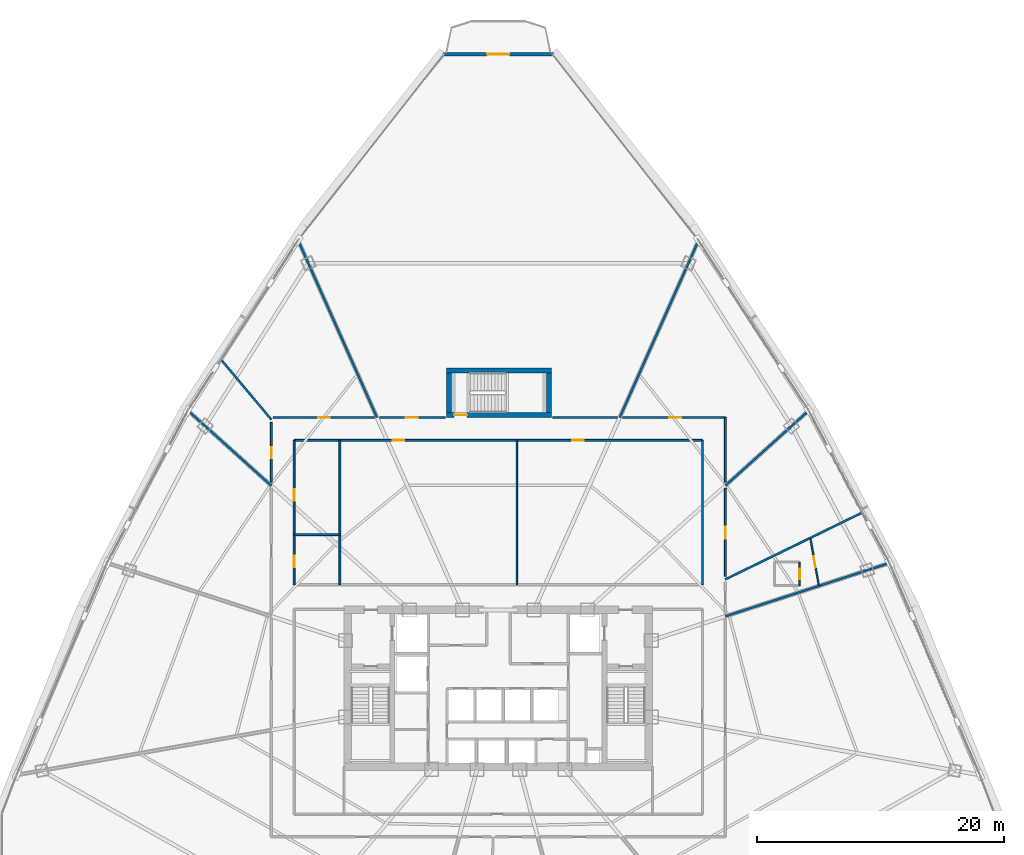
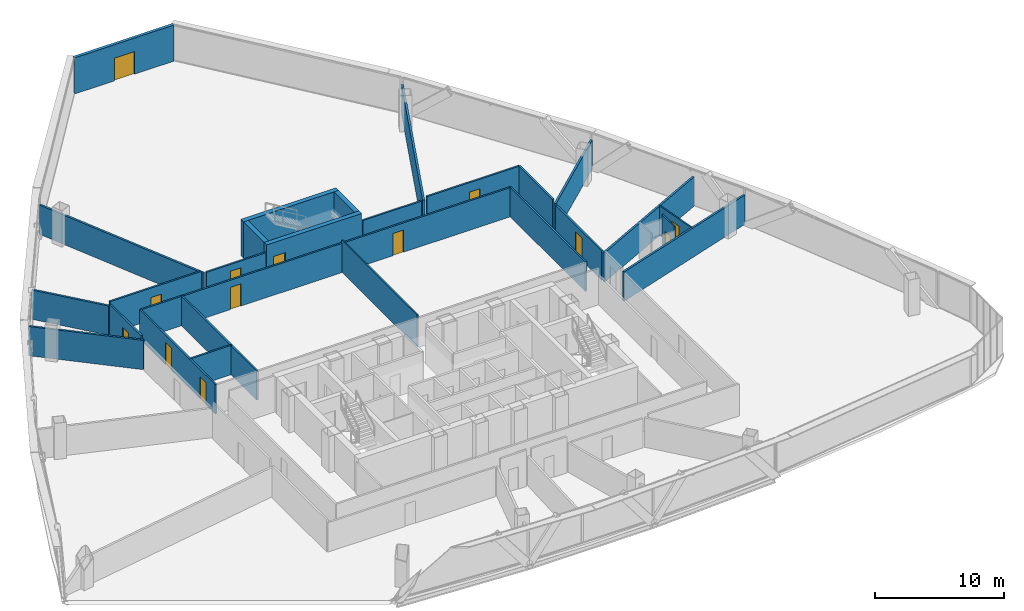
# One storey, part 37 of 42: 27 walls, 13 doors, 13 openings.
"""IFC4 building model written with IfcOpenShell, lengths in metres."""

from ifc_helpers import new_model, si_unit, direction, frame, frame_2d, origin, origin_with_axes, place, context, subcontext, project, spatial, rectangle, extrude, source, transform, mapped, material, layer, layer_set, type_object, element, fill, save


model = new_model("IFC4")

# Units and contexts
model_context = context("Model", 3, precision=1e-05, world=origin(), true_north=direction((0.0, 1.0)))
body_context = subcontext(model_context, "Body", "Model", "MODEL_VIEW")
ifc_project = project(units=[si_unit("LENGTHUNIT", "METRE"), si_unit("AREAUNIT", "SQUARE_METRE"), si_unit("VOLUMEUNIT", "CUBIC_METRE"), si_unit("PLANEANGLEUNIT", "RADIAN"), si_unit("MASSUNIT", "GRAM", prefix="KILO"), si_unit("THERMODYNAMICTEMPERATUREUNIT", "KELVIN"), si_unit("POWERUNIT", "WATT")], contexts=[model_context])

# Site, building, storey
site_placement = place(None, origin())
site = spatial("IfcSite", under=ifc_project, at=site_placement, CompositionType="ELEMENT")
building_placement = place(site_placement, origin())
building = spatial("IfcBuilding", under=site, at=building_placement, Name="Yunzhuo Pagoda Commons", CompositionType="ELEMENT")
storey_placement = place(building_placement, frame((0.0, 0.0, 129.830078125)))
storey = spatial("IfcBuildingStorey", under=building, at=storey_placement, Name="L32", CompositionType="ELEMENT", Elevation=129.830078125)

# Wall, opening, door
ifc_material_1 = material(Name="Precast concrete C40", Category="concrete")
ifc_layer_1 = layer(ifc_material_1, 0.260009765625)
ifc_layer_set_1 = layer_set([ifc_layer_1], Name="Precast concrete C40")
wall_type_1 = type_object("IfcWallType", Name="W-BAL1 Corner Balcony Threshold Wall 260", PredefinedType="STANDARD", material=ifc_layer_set_1)
wall_1_placement = place(storey_placement, frame((52.451416015625, 85.243408203125, 0.0), z_axis=(0.0, 0.0, 1.0), x_axis=(-1.0, 0.0, 0.0)))
wall_1 = element("IfcWall", 1, at=wall_1_placement, inside=storey, type_object=wall_type_1, Name="L32 corner balcony wall V3", PredefinedType="STANDARD", context=body_context, shape_type="SweptSolid", body=[
    extrude(rectangle(XDim=8.90283203125, YDim=0.260009765625, at=frame_2d((4.451416015625, 0.0))), origin(), (0.0, 0.0, 1.0), 3.419921875),
])
opening_1_placement = place(wall_1_placement, frame((3.55126953125, 0.0, 0.0)))
opening_1 = element("IfcOpeningElement", 2, at=opening_1_placement, cuts=wall_1, Name="Opening D-BAL1", PredefinedType="OPENING", context=body_context, shape_type="SweptSolid", body=[
    extrude(rectangle(XDim=1.800048828125, YDim=2.14990234375, at=frame_2d((0.89990234375, 1.074951171875))), frame((0.0, 0.14013671875, 0.0), z_axis=(0.0, -1.0, 0.0), x_axis=(1.0, 0.0, 0.0)), (0.0, 0.0, 1.0), 0.280029296875),
])
ifc_material_2 = material(Name="Anodized aluminium frame and tempered glazed leaf", Category="aluminium")
door_type_1 = type_object("IfcDoorType", Name="D-BAL1 Corner Balcony Sliding Glazed Door 1800x2150", OperationType="DOUBLE_DOOR_SLIDING", PredefinedType="DOOR", material=ifc_material_2)
shared_shape_1 = source(origin(), body_context, "Body", "SweptSolid", [
    extrude(rectangle(XDim=1.800048828125, YDim=2.14990234375, at=frame_2d((0.89990234375, 1.074951171875))), frame((0.0, 0.02490234375, 0.0), z_axis=(0.0, -1.0, 0.0), x_axis=(1.0, 0.0, 0.0)), (0.0, 0.0, 1.0), 0.050048828125),
])
door_1_placement = place(opening_1_placement, origin_with_axes())
door_1 = element("IfcDoor", 3, at=door_1_placement, inside=storey, type_object=door_type_1, Name="L32 corner balcony sliding door V3", OperationType="DOUBLE_DOOR_SLIDING", OverallHeight=2.14990234375, OverallWidth=1.800048828125, PredefinedType="DOOR", context=body_context, shape_type="MappedRepresentation", body=[
    mapped(shared_shape_1, transform((0.0, 0.0, 0.0), scale=1.0)),
])
fill(opening_1, door_1)

# Wall, openings, doors
ifc_material_3 = material(Name="Gypsum plasterboard on acoustic stud")
ifc_layer_2 = layer(ifc_material_3, 0.155029296875)
ifc_layer_set_2 = layer_set([ifc_layer_2], Name="Gypsum plasterboard on acoustic stud")
wall_type_2 = type_object("IfcWallType", Name="W-COR2 Mid-Zone Rated Corridor Wall 155", PredefinedType="PARTITIONING", material=ifc_layer_set_2)
wall_2_placement = place(storey_placement, frame((31.449951171875, 53.949951171875, 0.0), z_axis=(0.0, 0.0, 1.0), x_axis=(1.0, 0.0, 0.0)))
wall_2 = element("IfcWall", 4, at=wall_2_placement, inside=storey, type_object=wall_type_2, Name="L32 interior wall IW-L32-MCNN", PredefinedType="PARTITIONING", context=body_context, shape_type="SweptSolid", body=[
    extrude(rectangle(XDim=33.10009765625, YDim=0.155029296875, at=frame_2d((16.550048828125, 0.0))), origin(), (0.0, 0.0, 1.0), 2.77001953125),
])
opening_2_placement = place(wall_2_placement, frame((8.0, 0.0, 0.0)))
opening_2 = element("IfcOpeningElement", 5, at=opening_2_placement, cuts=wall_2, Name="Opening D-04", PredefinedType="OPENING", context=body_context, shape_type="SweptSolid", body=[
    extrude(rectangle(XDim=0.919921875, YDim=2.10009765625, at=frame_2d((0.4599609375, 1.050048828125))), frame((0.0, 0.08740234375, 0.0), z_axis=(0.0, -1.0, 0.0), x_axis=(1.0, 0.0, 0.0)), (0.0, 0.0, 1.0), 0.175048828125),
])
opening_3_placement = place(wall_2_placement, frame((22.550048828125, 0.0, 0.0)))
opening_3 = element("IfcOpeningElement", 6, at=opening_3_placement, cuts=wall_2, Name="Opening D-04", PredefinedType="OPENING", context=body_context, shape_type="SweptSolid", body=[
    extrude(rectangle(XDim=0.919921875, YDim=2.10009765625, at=frame_2d((0.4599609375, 1.050048828125))), frame((0.0, 0.08740234375, 0.0), z_axis=(0.0, -1.0, 0.0), x_axis=(1.0, 0.0, 0.0)), (0.0, 0.0, 1.0), 0.175048828125),
])
ifc_material_4 = material(Name="Powder-coated aluminium and timber acoustic leaf", Category="wood")
door_type_2 = type_object("IfcDoorType", Name="D-04 Bedroom & Study Interior Door 920x2100", OperationType="NOTDEFINED", PredefinedType="DOOR", material=ifc_material_4)
shared_shape_2 = source(origin(), body_context, "Body", "SweptSolid", [
    extrude(rectangle(XDim=0.919921875, YDim=2.10009765625, at=frame_2d((0.4599609375, 1.050048828125))), frame((0.0, 0.02490234375, 0.0), z_axis=(0.0, -1.0, 0.0), x_axis=(1.0, 0.0, 0.0)), (0.0, 0.0, 1.0), 0.050048828125),
])
door_2_placement = place(opening_2_placement, origin_with_axes())
door_2 = element("IfcDoor", 7, at=door_2_placement, inside=storey, type_object=door_type_2, Name="L32 reading commons door", OperationType="SINGLE_SWING_LEFT", OverallHeight=2.10009765625, OverallWidth=0.919921875, PredefinedType="DOOR", context=body_context, shape_type="MappedRepresentation", body=[
    mapped(shared_shape_2, transform((0.0, 0.0, 0.0), scale=1.0)),
])
fill(opening_2, door_2)
door_3_placement = place(opening_3_placement, origin_with_axes())
door_3 = element("IfcDoor", 8, at=door_3_placement, inside=storey, type_object=door_type_2, Name="L32 seminar commons door", OperationType="SINGLE_SWING_RIGHT", OverallHeight=2.10009765625, OverallWidth=0.919921875, PredefinedType="DOOR", context=body_context, shape_type="MappedRepresentation", body=[
    mapped(shared_shape_2, transform((0.0, 0.0, 0.0), scale=1.0)),
])
fill(opening_3, door_3)

wall_3_placement = place(storey_placement, frame((31.449951171875, 42.25, 0.0), z_axis=(0.0, 0.0, 1.0), x_axis=(0.0, 1.0, 0.0)))
wall_3 = element("IfcWall", 9, at=wall_3_placement, inside=storey, type_object=wall_type_2, Name="L32 interior wall IW-L32-MCNW", PredefinedType="PARTITIONING", context=body_context, shape_type="SweptSolid", body=[
    extrude(rectangle(XDim=11.699951171875, YDim=0.155029296875, at=frame_2d((5.85009765625, 0.0))), origin(), (0.0, 0.0, 1.0), 2.77001953125),
])
opening_4_placement = place(wall_3_placement, frame((1.39990234375, 0.0, 0.0)))
opening_4 = element("IfcOpeningElement", 10, at=opening_4_placement, cuts=wall_3, Name="Opening D-11", PredefinedType="OPENING", context=body_context, shape_type="SweptSolid", body=[
    extrude(rectangle(XDim=0.93994140625, YDim=2.10009765625, at=frame_2d((0.469970703125, 1.050048828125))), frame((0.0, 0.08740234375, 0.0), z_axis=(0.0, -1.0, 0.0), x_axis=(1.0, 0.0, 0.0)), (0.0, 0.0, 1.0), 0.175048828125),
])
opening_5_placement = place(wall_3_placement, frame((6.800048828125, 0.0, 0.0)))
opening_5 = element("IfcOpeningElement", 11, at=opening_5_placement, cuts=wall_3, Name="Opening D-04", PredefinedType="OPENING", context=body_context, shape_type="SweptSolid", body=[
    extrude(rectangle(XDim=0.919921875, YDim=2.10009765625, at=frame_2d((0.4599609375, 1.050048828125))), frame((0.0, 0.08740234375, 0.0), z_axis=(0.0, -1.0, 0.0), x_axis=(1.0, 0.0, 0.0)), (0.0, 0.0, 1.0), 0.175048828125),
])
ifc_material_5 = material(Name="Galvanized fire-resisting metal leaf")
door_type_3 = type_object("IfcDoorType", Name="D-11 Accessible Washroom Fire Door 940x2100", OperationType="NOTDEFINED", PredefinedType="DOOR", material=ifc_material_5)
shared_shape_3 = source(origin(), body_context, "Body", "SweptSolid", [
    extrude(rectangle(XDim=0.93994140625, YDim=2.10009765625, at=frame_2d((0.469970703125, 1.050048828125))), frame((0.0, 0.02490234375, 0.0), z_axis=(0.0, -1.0, 0.0), x_axis=(1.0, 0.0, 0.0)), (0.0, 0.0, 1.0), 0.050048828125),
])
door_4_placement = place(opening_4_placement, origin_with_axes())
door_4 = element("IfcDoor", 12, at=door_4_placement, inside=storey, type_object=door_type_3, Name="L32 accessible WC door", OperationType="SINGLE_SWING_LEFT", OverallHeight=2.10009765625, OverallWidth=0.93994140625, PredefinedType="DOOR", context=body_context, shape_type="MappedRepresentation", body=[
    mapped(shared_shape_3, transform((0.0, 0.0, 0.0), scale=1.0)),
])
fill(opening_4, door_4)
door_5_placement = place(opening_5_placement, origin_with_axes())
door_5 = element("IfcDoor", 13, at=door_5_placement, inside=storey, type_object=door_type_2, Name="L32 laundry door", OperationType="SINGLE_SWING_RIGHT", OverallHeight=2.10009765625, OverallWidth=0.919921875, PredefinedType="DOOR", context=body_context, shape_type="MappedRepresentation", body=[
    mapped(shared_shape_2, transform((0.0, 0.0, 0.0), scale=1.0)),
])
fill(opening_5, door_5)

# Walls
for number, where, z_axis, x_axis, name in (
    (14, (64.550048828125, 42.25, 0.0), (0.0, 0.0, 1.0), (0.0, 1.0, 0.0), "L32 interior wall IW-L32-MCNE"),
    (15, (35.14990234375, 42.25, 0.0), (0.0, 0.0, 1.0), (0.0, 1.0, 0.0), "L32 interior wall IW-L32-MCWCE"),
):
    element("IfcWall", number, at=place(storey_placement, frame(where, z_axis=z_axis, x_axis=x_axis)), inside=storey, type_object=wall_type_2, Name=name, PredefinedType="PARTITIONING", context=body_context, shape_type="SweptSolid", body=[
        extrude(rectangle(XDim=11.699951171875, YDim=0.155029296875, at=frame_2d((5.85009765625, 0.0))), origin(), (0.0, 0.0, 1.0), 2.77001953125),
    ])
wall_4_placement = place(storey_placement, frame((31.449951171875, 46.300048828125, 0.0), z_axis=(0.0, 0.0, 1.0), x_axis=(1.0, 0.0, 0.0)))
element("IfcWall", 16, at=wall_4_placement, inside=storey, type_object=wall_type_2, Name="L32 interior wall IW-L32-MCWCN", PredefinedType="PARTITIONING", context=body_context, shape_type="SweptSolid", body=[
    extrude(rectangle(XDim=3.699951171875, YDim=0.155029296875, at=frame_2d((1.85009765625, 0.0))), origin(), (0.0, 0.0, 1.0), 2.77001953125),
])

# Wall, opening, door
wall_5_placement = place(storey_placement, frame((29.60009765625, 50.5634765625, 0.0), z_axis=(0.0, 0.0, 1.0), x_axis=(0.0, 1.0, 0.0)))
wall_5 = element("IfcWall", 17, at=wall_5_placement, inside=storey, type_object=wall_type_2, Name="L32 interior wall IW-L32-CWL04", PredefinedType="PARTITIONING", context=body_context, shape_type="SweptSolid", body=[
    extrude(rectangle(XDim=4.844970703125, YDim=0.155029296875, at=frame_2d((2.42236328125, 0.0))), origin(), (0.0, 0.0, 1.0), 3.02001953125),
])
opening_6_placement = place(wall_5_placement, frame((1.924560546875, 0.0, 0.0)))
opening_6 = element("IfcOpeningElement", 18, at=opening_6_placement, cuts=wall_5, Name="Opening D-12", PredefinedType="OPENING", context=body_context, shape_type="SweptSolid", body=[
    extrude(rectangle(XDim=0.89990234375, YDim=2.080078125, at=frame_2d((0.449951171875, 1.0400390625))), frame((0.0, 0.08740234375, 0.0), z_axis=(0.0, -1.0, 0.0), x_axis=(1.0, 0.0, 0.0)), (0.0, 0.0, 1.0), 0.175048828125),
])
door_type_4 = type_object("IfcDoorType", Name="D-12 Quiet Study Interior Door 900x2080", OperationType="NOTDEFINED", PredefinedType="DOOR", material=ifc_material_4)
shared_shape_4 = source(origin(), body_context, "Body", "SweptSolid", [
    extrude(rectangle(XDim=0.89990234375, YDim=2.080078125, at=frame_2d((0.449951171875, 1.0400390625))), frame((0.0, 0.02490234375, 0.0), z_axis=(0.0, -1.0, 0.0), x_axis=(1.0, 0.0, 0.0)), (0.0, 0.0, 1.0), 0.050048828125),
])
door_6_placement = place(opening_6_placement, origin_with_axes())
door_6 = element("IfcDoor", 19, at=door_6_placement, inside=storey, type_object=door_type_4, Name="L32 study lounge 06 door", OperationType="SINGLE_SWING_RIGHT", OverallHeight=2.080078125, OverallWidth=0.89990234375, PredefinedType="DOOR", context=body_context, shape_type="MappedRepresentation", body=[
    mapped(shared_shape_4, transform((0.0, 0.0, 0.0), scale=1.0)),
])
fill(opening_6, door_6)

wall_6_placement = place(storey_placement, frame((29.7431640625, 55.800048828125, 0.0), z_axis=(0.0, 0.0, 1.0), x_axis=(1.0, 0.0, 0.0)))
wall_6 = element("IfcWall", 20, at=wall_6_placement, inside=storey, type_object=wall_type_2, Name="L32 interior wall IW-L32-CWL05", PredefinedType="PARTITIONING", context=body_context, shape_type="SweptSolid", body=[
    extrude(rectangle(XDim=8.176513671875, YDim=0.155029296875, at=frame_2d((4.08837890625, 0.0))), origin(), (0.0, 0.0, 1.0), 3.02001953125),
])
opening_7_placement = place(wall_6_placement, frame((3.6455078125, 0.0, 0.0)))
opening_7 = element("IfcOpeningElement", 21, at=opening_7_placement, cuts=wall_6, Name="Opening D-07", PredefinedType="OPENING", context=body_context, shape_type="SweptSolid", body=[
    extrude(rectangle(XDim=0.9599609375, YDim=2.1201171875, at=frame_2d((0.47998046875, 1.06005859375))), frame((0.0, 0.08740234375, 0.0), z_axis=(0.0, -1.0, 0.0), x_axis=(1.0, 0.0, 0.0)), (0.0, 0.0, 1.0), 0.175048828125),
])
door_type_5 = type_object("IfcDoorType", Name="D-07 Mid-Zone Suite Entrance Fire Door 960x2120", OperationType="NOTDEFINED", PredefinedType="DOOR", material=ifc_material_5)
shared_shape_5 = source(origin(), body_context, "Body", "SweptSolid", [
    extrude(rectangle(XDim=0.9599609375, YDim=2.1201171875, at=frame_2d((0.47998046875, 1.06005859375))), frame((0.0, 0.02490234375, 0.0), z_axis=(0.0, -1.0, 0.0), x_axis=(1.0, 0.0, 0.0)), (0.0, 0.0, 1.0), 0.050048828125),
])
door_7_placement = place(opening_7_placement, origin_with_axes())
door_7 = element("IfcDoor", 22, at=door_7_placement, inside=storey, type_object=door_type_5, Name="L32 unit 05 entrance door", OperationType="SINGLE_SWING_LEFT", OverallHeight=2.1201171875, OverallWidth=0.9599609375, PredefinedType="DOOR", context=body_context, shape_type="MappedRepresentation", body=[
    mapped(shared_shape_5, transform((0.0, 0.0, 0.0), scale=1.0)),
])
fill(opening_7, door_7)

wall_7_placement = place(storey_placement, frame((38.380126953125, 55.800048828125, 0.0), z_axis=(0.0, 0.0, 1.0), x_axis=(1.0, 0.0, 0.0)))
wall_7 = element("IfcWall", 23, at=wall_7_placement, inside=storey, type_object=wall_type_2, Name="L32 interior wall IW-L32-CWL06", PredefinedType="PARTITIONING", context=body_context, shape_type="SweptSolid", body=[
    extrude(rectangle(XDim=5.328857421875, YDim=0.155029296875, at=frame_2d((2.66455078125, 0.0))), origin(), (0.0, 0.0, 1.0), 2.77001953125),
])
opening_8_placement = place(wall_7_placement, frame((2.114990234375, 0.0, 0.0)))
opening_8 = element("IfcOpeningElement", 24, at=opening_8_placement, cuts=wall_7, Name="Opening D-07", PredefinedType="OPENING", context=body_context, shape_type="SweptSolid", body=[
    extrude(rectangle(XDim=0.9599609375, YDim=2.1201171875, at=frame_2d((0.47998046875, 1.06005859375))), frame((0.0, 0.08740234375, 0.0), z_axis=(0.0, -1.0, 0.0), x_axis=(1.0, 0.0, 0.0)), (0.0, 0.0, 1.0), 0.175048828125),
])
door_8_placement = place(opening_8_placement, origin_with_axes())
door_8 = element("IfcDoor", 25, at=door_8_placement, inside=storey, type_object=door_type_5, Name="L32 unit 04 entrance door", OperationType="SINGLE_SWING_RIGHT", OverallHeight=2.1201171875, OverallWidth=0.9599609375, PredefinedType="DOOR", context=body_context, shape_type="MappedRepresentation", body=[
    mapped(shared_shape_5, transform((0.0, 0.0, 0.0), scale=1.0)),
])
fill(opening_8, door_8)

# Wall
wall_8_placement = place(storey_placement, frame((52.39111328125, 55.800048828125, 0.0), z_axis=(0.0, 0.0, 1.0), x_axis=(1.0, 0.0, 0.0)))
element("IfcWall", 26, at=wall_8_placement, inside=storey, type_object=wall_type_2, Name="L32 interior wall IW-L32-CWL07", PredefinedType="PARTITIONING", context=body_context, shape_type="SweptSolid", body=[
    extrude(rectangle(XDim=5.228759765625, YDim=0.155029296875, at=frame_2d((2.6142578125, 0.0))), origin(), (0.0, 0.0, 1.0), 2.77001953125),
])

# Wall, opening, door
wall_9_placement = place(storey_placement, frame((58.080322265625, 55.800048828125, 0.0), z_axis=(0.0, 0.0, 1.0), x_axis=(1.0, 0.0, 0.0)))
wall_9 = element("IfcWall", 27, at=wall_9_placement, inside=storey, type_object=wall_type_2, Name="L32 interior wall IW-L32-CWL08", PredefinedType="PARTITIONING", context=body_context, shape_type="SweptSolid", body=[
    extrude(rectangle(XDim=8.319580078125, YDim=0.155029296875, at=frame_2d((4.15966796875, 0.0))), origin(), (0.0, 0.0, 1.0), 3.02001953125),
])
opening_9_placement = place(wall_9_placement, frame((3.79443359375, 0.0, 0.0)))
opening_9 = element("IfcOpeningElement", 28, at=opening_9_placement, cuts=wall_9, Name="Opening D-07", PredefinedType="OPENING", context=body_context, shape_type="SweptSolid", body=[
    extrude(rectangle(XDim=0.9599609375, YDim=2.1201171875, at=frame_2d((0.47998046875, 1.06005859375))), frame((0.0, 0.08740234375, 0.0), z_axis=(0.0, -1.0, 0.0), x_axis=(1.0, 0.0, 0.0)), (0.0, 0.0, 1.0), 0.175048828125),
])
door_9_placement = place(opening_9_placement, origin_with_axes())
door_9 = element("IfcDoor", 29, at=door_9_placement, inside=storey, type_object=door_type_5, Name="L32 unit 03 entrance door", OperationType="SINGLE_SWING_LEFT", OverallHeight=2.1201171875, OverallWidth=0.9599609375, PredefinedType="DOOR", context=body_context, shape_type="MappedRepresentation", body=[
    mapped(shared_shape_5, transform((0.0, 0.0, 0.0), scale=1.0)),
])
fill(opening_9, door_9)

# Wall
wall_10_placement = place(storey_placement, frame((66.39990234375, 55.800048828125, 0.0), z_axis=(0.0, 0.0, 1.0), x_axis=(0.0, -1.0, 0.0)))
element("IfcWall", 30, at=wall_10_placement, inside=storey, type_object=wall_type_2, Name="L32 interior wall IW-L32-CWL09", PredefinedType="PARTITIONING", context=body_context, shape_type="SweptSolid", body=[
    extrude(rectangle(XDim=5.236572265625, YDim=0.155029296875, at=frame_2d((2.6181640625, 0.0))), origin(), (0.0, 0.0, 1.0), 3.02001953125),
])

# Wall, opening, door
wall_11_placement = place(storey_placement, frame((66.39990234375, 50.047607421875, 0.0), z_axis=(0.0, 0.0, 1.0), x_axis=(0.0, -1.0, 0.0)))
wall_11 = element("IfcWall", 31, at=wall_11_placement, inside=storey, type_object=wall_type_2, Name="L32 interior wall IW-L32-CWL10", PredefinedType="PARTITIONING", context=body_context, shape_type="SweptSolid", body=[
    extrude(rectangle(XDim=7.12841796875, YDim=0.155029296875, at=frame_2d((3.564208984375, 0.0))), origin(), (0.0, 0.0, 1.0), 2.77001953125),
])
opening_10_placement = place(wall_11_placement, frame((3.101806640625, 0.0, 0.0)))
opening_10 = element("IfcOpeningElement", 32, at=opening_10_placement, cuts=wall_11, Name="Opening D-07", PredefinedType="OPENING", context=body_context, shape_type="SweptSolid", body=[
    extrude(rectangle(XDim=0.9599609375, YDim=2.1201171875, at=frame_2d((0.47998046875, 1.06005859375))), frame((0.0, 0.08740234375, 0.0), z_axis=(0.0, -1.0, 0.0), x_axis=(1.0, 0.0, 0.0)), (0.0, 0.0, 1.0), 0.175048828125),
])
door_10_placement = place(opening_10_placement, origin_with_axes())
door_10 = element("IfcDoor", 33, at=door_10_placement, inside=storey, type_object=door_type_5, Name="L32 unit 02 entrance door", OperationType="SINGLE_SWING_RIGHT", OverallHeight=2.1201171875, OverallWidth=0.9599609375, PredefinedType="DOOR", context=body_context, shape_type="MappedRepresentation", body=[
    mapped(shared_shape_5, transform((0.0, 0.0, 0.0), scale=1.0)),
])
fill(opening_10, door_10)

# Wall
ifc_layer_3 = layer(ifc_material_3, 0.1201171875)
ifc_layer_set_3 = layer_set([ifc_layer_3], Name="Gypsum plasterboard on acoustic stud")
wall_type_3 = type_object("IfcWallType", Name="W-PRT1 Suite & Bathroom Partition 120", PredefinedType="PARTITIONING", material=ifc_layer_set_3)
wall_12_placement = place(storey_placement, frame((49.5, 42.25, 0.0), z_axis=(0.0, 0.0, 1.0), x_axis=(0.0, 1.0, 0.0)))
element("IfcWall", 34, at=wall_12_placement, inside=storey, type_object=wall_type_3, Name="L32 interior wall IW-L32-MCDIV", PredefinedType="PARTITIONING", context=body_context, shape_type="SweptSolid", body=[
    extrude(rectangle(XDim=11.699951171875, YDim=0.1201171875, at=frame_2d((5.85009765625, 0.0))), origin(), (0.0, 0.0, 1.0), 3.02001953125),
])

# Wall, opening, door
wall_13_placement = place(storey_placement, frame((72.43310546875, 42.1708984375, 0.0), z_axis=(0.0, 0.0, 1.0), x_axis=(0.0, 1.0, 0.0)))
wall_13 = element("IfcWall", 35, at=wall_13_placement, inside=storey, type_object=wall_type_3, Name="L32 interior wall IW-L32-B01E", PredefinedType="PARTITIONING", context=body_context, shape_type="SweptSolid", body=[
    extrude(rectangle(XDim=1.900146484375, YDim=0.1201171875, at=frame_2d((0.9501953125, 0.0))), origin(), (0.0, 0.0, 1.0), 3.419921875),
])
opening_11_placement = place(wall_13_placement, frame((0.52490234375, 0.0, 0.0)))
opening_11 = element("IfcOpeningElement", 36, at=opening_11_placement, cuts=wall_13, Name="Opening D-05", PredefinedType="OPENING", context=body_context, shape_type="SweptSolid", body=[
    extrude(rectangle(XDim=0.85009765625, YDim=2.10009765625, at=frame_2d((0.425048828125, 1.050048828125))), frame((0.0, 0.070068359375, 0.0), z_axis=(0.0, -1.0, 0.0), x_axis=(1.0, 0.0, 0.0)), (0.0, 0.0, 1.0), 0.14013671875),
])
door_type_6 = type_object("IfcDoorType", Name="D-05 En-Suite Bathroom Door 850x2100", OperationType="NOTDEFINED", PredefinedType="DOOR", material=ifc_material_4)
shared_shape_6 = source(origin(), body_context, "Body", "SweptSolid", [
    extrude(rectangle(XDim=0.85009765625, YDim=2.10009765625, at=frame_2d((0.425048828125, 1.050048828125))), frame((0.0, 0.02490234375, 0.0), z_axis=(0.0, -1.0, 0.0), x_axis=(1.0, 0.0, 0.0)), (0.0, 0.0, 1.0), 0.050048828125),
])
door_11_placement = place(opening_11_placement, frame((0.85009765625, 0.0, 0.0), z_axis=(0.0, 0.0, 1.0), x_axis=(-1.0, 0.0, 0.0)))
door_11 = element("IfcDoor", 37, at=door_11_placement, inside=storey, type_object=door_type_6, Name="L32 unit 01 bathroom door", OperationType="SINGLE_SWING_LEFT", OverallHeight=2.10009765625, OverallWidth=0.85009765625, PredefinedType="DOOR", context=body_context, shape_type="MappedRepresentation", body=[
    mapped(shared_shape_6, transform((0.0, 0.0, 0.0), scale=1.0)),
])
fill(opening_11, door_11)

wall_14_placement = place(storey_placement, frame((73.977294921875, 42.20361328125, 0.0), z_axis=(0.0, 0.0, 1.0), x_axis=(-0.175839166685, 0.984418908524, 0.0)))
wall_14 = element("IfcWall", 38, at=wall_14_placement, inside=storey, type_object=wall_type_3, Name="L32 interior wall IW-L32-CLB01", PredefinedType="PARTITIONING", context=body_context, shape_type="SweptSolid", body=[
    extrude(rectangle(XDim=3.83056640625, YDim=0.1201171875, at=frame_2d((1.915283203125, 0.0))), origin(), (0.0, 0.0, 1.0), 2.77001953125),
])
opening_12_placement = place(wall_14_placement, frame((1.455322265625, 0.0, 0.0)))
opening_12 = element("IfcOpeningElement", 39, at=opening_12_placement, cuts=wall_14, Name="Opening D-04", PredefinedType="OPENING", context=body_context, shape_type="SweptSolid", body=[
    extrude(rectangle(XDim=0.919921875, YDim=2.10009765625, at=frame_2d((0.4599609375, 1.050048828125))), frame((0.0, 0.070068359375, 0.0), z_axis=(0.0, -1.0, 0.0), x_axis=(1.0, 0.0, 0.0)), (0.0, 0.0, 1.0), 0.14013671875),
])
door_12_placement = place(opening_12_placement, origin_with_axes())
door_12 = element("IfcDoor", 40, at=door_12_placement, inside=storey, type_object=door_type_2, Name="L32 suite 01 bedroom door", OperationType="SINGLE_SWING_LEFT", OverallHeight=2.10009765625, OverallWidth=0.919921875, PredefinedType="DOOR", context=body_context, shape_type="MappedRepresentation", body=[
    mapped(shared_shape_2, transform((0.0, 0.0, 0.0), scale=1.0)),
])
fill(opening_12, door_12)

# Walls
ifc_layer_4 = layer(ifc_material_3, 0.175048828125)
ifc_layer_set_4 = layer_set([ifc_layer_4], Name="Gypsum plasterboard on acoustic stud")
wall_type_4 = type_object("IfcWallType", Name="W-PRT3 Mid-Zone Demising Wall 175", PredefinedType="PARTITIONING", material=ifc_layer_set_4)
wall_15_placement = place(storey_placement, frame((66.39990234375, 39.678466796875, 0.0), z_axis=(0.0, 0.0, 1.0), x_axis=(0.95105622709, 0.309017884457, 0.0)))
element("IfcWall", 41, at=wall_15_placement, inside=storey, type_object=wall_type_4, Name="L32 interior wall IW-L32-RAD01", PredefinedType="PARTITIONING", context=body_context, shape_type="SweptSolid", body=[
    extrude(rectangle(XDim=14.006103515625, YDim=0.175048828125, at=frame_2d((7.0029296875, 0.0))), origin(), (0.0, 0.0, 1.0), 2.77001953125),
])
wall_16_placement = place(storey_placement, frame((66.39990234375, 42.67431640625, 0.0), z_axis=(0.0, 0.0, 1.0), x_axis=(0.898797201523, 0.438364677563, 0.0)))
element("IfcWall", 42, at=wall_16_placement, inside=storey, type_object=wall_type_4, Name="L32 interior wall IW-L32-RAD02", PredefinedType="PARTITIONING", context=body_context, shape_type="SweptSolid", body=[
    extrude(rectangle(XDim=12.40185546875, YDim=0.175048828125, at=frame_2d((6.200927734375, 0.0))), origin(), (0.0, 0.0, 1.0), 2.77001953125),
])
wall_17_placement = place(storey_placement, frame((66.39990234375, 50.267333984375, 0.0), z_axis=(0.0, 0.0, 1.0), x_axis=(0.743139639416, 0.669136366018, 0.0)))
element("IfcWall", 43, at=wall_17_placement, inside=storey, type_object=wall_type_4, Name="L32 interior wall IW-L32-RAD03", PredefinedType="PARTITIONING", context=body_context, shape_type="SweptSolid", body=[
    extrude(rectangle(XDim=9.115234375, YDim=0.175048828125, at=frame_2d((4.5576171875, 0.0))), origin(), (0.0, 0.0, 1.0), 2.77001953125),
])
for number, where, z_axis, x_axis, name in (
    (44, (57.839599609375, 55.800048828125, 0.0), (0.0, 0.0, 1.0), (0.406729069032, 0.913548829787, 0.0), "L32 interior wall IW-L32-RAD04"),
    (45, (38.160400390625, 55.800048828125, 0.0), (0.0, 0.0, 1.0), (-0.406729069032, 0.913548829787, 0.0), "L32 interior wall IW-L32-RAD05"),
):
    element("IfcWall", number, at=place(storey_placement, frame(where, z_axis=z_axis, x_axis=x_axis)), inside=storey, type_object=wall_type_4, Name=name, PredefinedType="PARTITIONING", context=body_context, shape_type="SweptSolid", body=[
        extrude(rectangle(XDim=15.72314453125, YDim=0.175048828125, at=frame_2d((7.861572265625, 0.0))), origin(), (0.0, 0.0, 1.0), 2.77001953125),
    ])
wall_18_placement = place(storey_placement, frame((29.60009765625, 55.62841796875, 0.0), z_axis=(0.0, 0.0, 1.0), x_axis=(-0.642790889975, 0.766041690618, 0.0)))
element("IfcWall", 46, at=wall_18_placement, inside=storey, type_object=wall_type_4, Name="L32 interior wall IW-L32-RAD06", PredefinedType="PARTITIONING", context=body_context, shape_type="SweptSolid", body=[
    extrude(rectangle(XDim=6.366455078125, YDim=0.175048828125, at=frame_2d((3.18310546875, 0.0))), origin(), (0.0, 0.0, 1.0), 2.77001953125),
])
wall_19_placement = place(storey_placement, frame((29.60009765625, 50.267333984375, 0.0), z_axis=(0.0, 0.0, 1.0), x_axis=(-0.743139639416, 0.669136366018, 0.0)))
element("IfcWall", 47, at=wall_19_placement, inside=storey, type_object=wall_type_4, Name="L32 interior wall IW-L32-RAD07", PredefinedType="PARTITIONING", context=body_context, shape_type="SweptSolid", body=[
    extrude(rectangle(XDim=9.115234375, YDim=0.175048828125, at=frame_2d((4.5576171875, 0.0))), origin(), (0.0, 0.0, 1.0), 2.77001953125),
])
ifc_material_6 = material(Name="Concrete C60", Category="concrete")
ifc_layer_5 = layer(ifc_material_6, 0.39990234375)
ifc_layer_set_5 = layer_set([ifc_layer_5], Name="Concrete C60")
wall_type_5 = type_object("IfcWallType", Name="W-S01 Internal Core Shear Web 400", PredefinedType="SHEAR", material=ifc_layer_set_5)
wall_20_placement = place(storey_placement, frame((43.800048828125, 59.60009765625, 0.0), z_axis=(0.0, 0.0, 1.0), x_axis=(1.0, 0.0, 0.0)))
element("IfcWall", 48, at=wall_20_placement, inside=storey, type_object=wall_type_5, Name="L32 ST3 structural stair wall N", PredefinedType="SHEAR", context=body_context, shape_type="SweptSolid", body=[
    extrude(rectangle(XDim=8.5, YDim=0.39990234375, at=frame_2d((4.25, 0.0))), origin(), (0.0, 0.0, 1.0), 3.419921875),
])

# Wall, opening, door
wall_21_placement = place(storey_placement, frame((43.800048828125, 56.0, 0.0), z_axis=(0.0, 0.0, 1.0), x_axis=(1.0, 0.0, 0.0)))
wall_21 = element("IfcWall", 49, at=wall_21_placement, inside=storey, type_object=wall_type_5, Name="L32 ST3 structural stair wall S", PredefinedType="SHEAR", context=body_context, shape_type="SweptSolid", body=[
    extrude(rectangle(XDim=8.5, YDim=0.39990234375, at=frame_2d((4.25, 0.0))), origin(), (0.0, 0.0, 1.0), 3.419921875),
])
opening_13_placement = place(wall_21_placement, frame((0.6201171875, 0.0, 0.0)))
opening_13 = element("IfcOpeningElement", 50, at=opening_13_placement, cuts=wall_21, Name="Opening D-01", PredefinedType="OPENING", context=body_context, shape_type="SweptSolid", body=[
    extrude(rectangle(XDim=1.050048828125, YDim=2.10009765625, at=frame_2d((0.52490234375, 1.050048828125))), frame((0.0, 0.2099609375, 0.0), z_axis=(0.0, -1.0, 0.0), x_axis=(1.0, 0.0, 0.0)), (0.0, 0.0, 1.0), 0.419921875),
])
door_type_7 = type_object("IfcDoorType", Name="D-01 Smokeproof Stair Fire Door 1050x2100", OperationType="NOTDEFINED", PredefinedType="DOOR", material=ifc_material_5)
shared_shape_7 = source(origin(), body_context, "Body", "SweptSolid", [
    extrude(rectangle(XDim=1.050048828125, YDim=2.10009765625, at=frame_2d((0.52490234375, 1.050048828125))), frame((0.0, 0.02490234375, 0.0), z_axis=(0.0, -1.0, 0.0), x_axis=(1.0, 0.0, 0.0)), (0.0, 0.0, 1.0), 0.050048828125),
])
door_13_placement = place(opening_13_placement, frame((1.050048828125, 0.0, 0.0), z_axis=(0.0, 0.0, 1.0), x_axis=(-1.0, 0.0, 0.0)))
door_13 = element("IfcDoor", 51, at=door_13_placement, inside=storey, type_object=door_type_7, Name="L32 Stair ST3 fire door", OperationType="SINGLE_SWING_LEFT", OverallHeight=2.10009765625, OverallWidth=1.050048828125, PredefinedType="DOOR", context=body_context, shape_type="MappedRepresentation", body=[
    mapped(shared_shape_7, transform((0.0, 0.0, 0.0), scale=1.0)),
])
fill(opening_13, door_13)

# Walls
for number, where, z_axis, x_axis, name in (
    (52, (44.0, 56.199951171875, 0.0), (0.0, 0.0, 1.0), (0.0, 1.0, 0.0), "L32 ST3 structural stair wall W"),
    (53, (52.10009765625, 56.199951171875, 0.0), (0.0, 0.0, 1.0), (0.0, 1.0, 0.0), "L32 ST3 structural stair wall E"),
):
    element("IfcWall", number, at=place(storey_placement, frame(where, z_axis=z_axis, x_axis=x_axis)), inside=storey, type_object=wall_type_5, Name=name, PredefinedType="SHEAR", context=body_context, shape_type="SweptSolid", body=[
        extrude(rectangle(XDim=3.199951171875, YDim=0.39990234375, at=frame_2d((1.60009765625, 0.0))), origin(), (0.0, 0.0, 1.0), 3.419921875),
    ])

save(model, "model.ifc")
